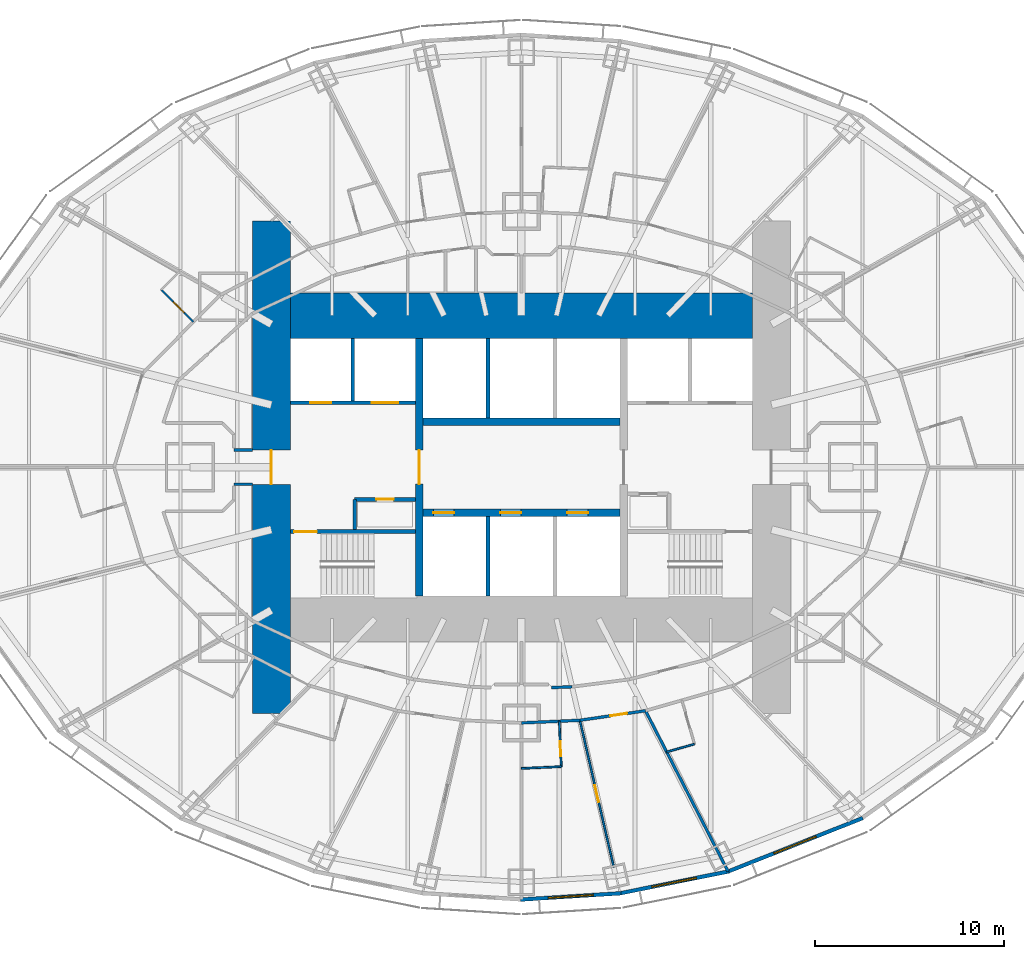
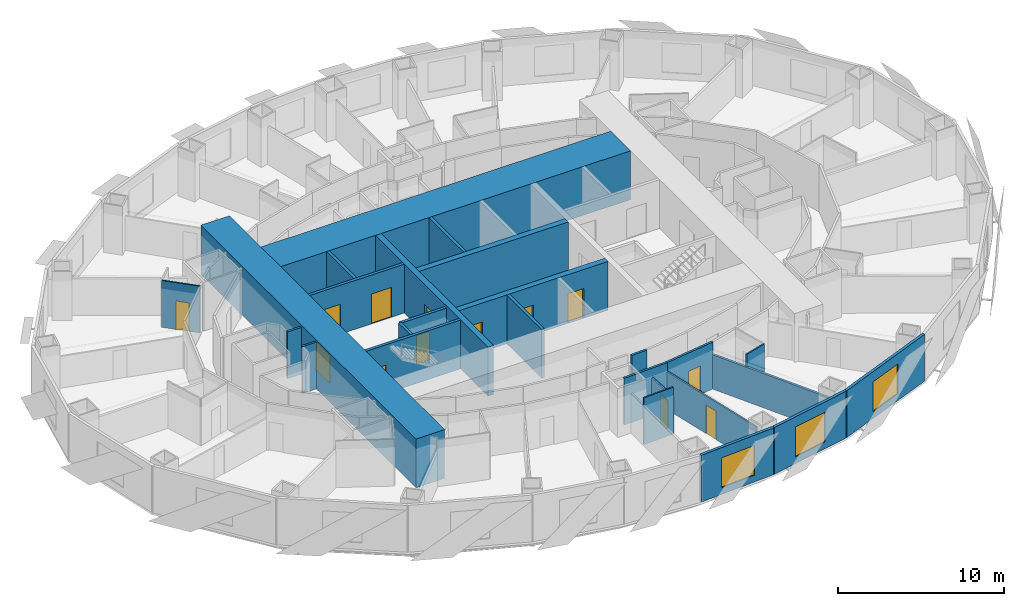
# One storey, part 6 of 15: 26 walls, 13 doors, 3 windows, 16 openings.
"""IFC4 building model written with IfcOpenShell, lengths in metres."""

from ifc_helpers import new_model, si_unit, direction, frame, frame_2d, origin, place, context, subcontext, project, spatial, rectangle, extrude, material, layer, layer_set, type_object, element, fill, save


model = new_model("IFC4")

# Units and contexts
model_context = context("Model", 3, precision=1e-05, world=origin(), true_north=direction((0.0, 1.0)))
body_context = subcontext(model_context, "Body", "Model", "MODEL_VIEW")
ifc_project = project(units=[si_unit("LENGTHUNIT", "METRE"), si_unit("AREAUNIT", "SQUARE_METRE"), si_unit("VOLUMEUNIT", "CUBIC_METRE"), si_unit("PLANEANGLEUNIT", "RADIAN"), si_unit("MASSUNIT", "GRAM", prefix="KILO")], contexts=[model_context])

# Site, building, storey
site_placement = place(None, origin())
site = spatial("IfcSite", under=ifc_project, at=site_placement, CompositionType="ELEMENT")
building_placement = place(site_placement, origin())
building = spatial("IfcBuilding", under=site, at=building_placement, Name="Lantaw Convention Tower", CompositionType="ELEMENT")
storey_placement = place(building_placement, frame((0.0, 0.0, 55.0)))
storey = spatial("IfcBuildingStorey", under=building, at=storey_placement, Name="L11", CompositionType="ELEMENT", Elevation=55.0)

# Wall, opening, door
ifc_material_1 = material(Name="Moisture resistant gypsum board on steel studs", Category="steel")
ifc_layer_1 = layer(ifc_material_1, 0.10009765625)
ifc_layer_set_1 = layer_set([ifc_layer_1], Name="Bathroom wall 100")
wall_type_1 = type_object("IfcWallType", Name="Bathroom wall 100", PredefinedType="PARTITIONING", material=ifc_layer_set_1)
wall_1_placement = place(storey_placement, frame((-17.311279296875, 7.668212890625, 0.0), z_axis=(0.0, 0.0, 1.0), x_axis=(-0.709138392716, 0.705069315724, 0.0)))
wall_1 = element("IfcWall", 1, at=wall_1_placement, inside=storey, type_object=wall_type_1, Name="Bathroom wall 100", PredefinedType="PARTITIONING", context=body_context, shape_type="SweptSolid", body=[
    extrude(rectangle(XDim=2.39990234375, YDim=0.10009765625, at=frame_2d((1.199951171875, 0.0))), origin(), (0.0, 0.0, 1.0), 3.449951171875),
])
opening_1_placement = place(wall_1_placement, frame((0.699951171875, 0.0, 0.0)))
opening_1 = element("IfcOpeningElement", 2, at=opening_1_placement, cuts=wall_1, Name="Opening L11.43", PredefinedType="OPENING", context=body_context, shape_type="SweptSolid", body=[
    extrude(rectangle(XDim=0.800048828125, YDim=2.10009765625, at=frame_2d((0.39990234375, 1.050048828125))), frame((0.0, 0.06005859375, 0.0), z_axis=(0.0, -1.0, 0.0), x_axis=(1.0, 0.0, 0.0)), (0.0, 0.0, 1.0), 0.1201171875),
])
ifc_material_2 = material(Name="Timber", Category="wood")
door_type_1 = type_object("IfcDoorType", Name="Bathroom door 800", OperationType="SINGLE_SWING_LEFT", PredefinedType="DOOR", material=ifc_material_2)
door_1_placement = place(opening_1_placement, origin())
door_1 = element("IfcDoor", 3, at=door_1_placement, inside=storey, type_object=door_type_1, Name="Bathroom door", OperationType="SINGLE_SWING_LEFT", OverallHeight=2.10009765625, OverallWidth=0.800048828125, PredefinedType="DOOR", context=body_context, shape_type="SweptSolid", body=[
    extrude(rectangle(XDim=0.800048828125, YDim=2.10009765625, at=frame_2d((0.39990234375, 1.050048828125))), frame((0.0, 0.02490234375, 0.0), z_axis=(0.0, -1.0, 0.0), x_axis=(1.0, 0.0, 0.0)), (0.0, 0.0, 1.0), 0.050048828125),
])
fill(opening_1, door_1)

wall_2_placement = place(storey_placement, frame((1.998046875, -13.409423828125, 0.0), z_axis=(0.0, 0.0, 1.0), x_axis=(0.045163115153, -0.998979625933, 0.0)))
wall_2 = element("IfcWall", 4, at=wall_2_placement, inside=storey, type_object=wall_type_1, Name="Bathroom wall 100", PredefinedType="PARTITIONING", context=body_context, shape_type="SweptSolid", body=[
    extrude(rectangle(XDim=2.400146484375, YDim=0.10009765625, at=frame_2d((1.2001953125, 0.0))), origin(), (0.0, 0.0, 1.0), 2.7490234375),
])
opening_2_placement = place(wall_2_placement, frame((1.050048828125, 0.0, 0.0)))
opening_2 = element("IfcOpeningElement", 5, at=opening_2_placement, cuts=wall_2, Name="Opening L11.55", PredefinedType="OPENING", context=body_context, shape_type="SweptSolid", body=[
    extrude(rectangle(XDim=0.800048828125, YDim=2.10009765625, at=frame_2d((0.39990234375, 1.050048828125))), frame((0.0, 0.06005859375, 0.0), z_axis=(0.0, -1.0, 0.0), x_axis=(1.0, 0.0, 0.0)), (0.0, 0.0, 1.0), 0.1201171875),
])
door_2_placement = place(opening_2_placement, origin())
door_2 = element("IfcDoor", 6, at=door_2_placement, inside=storey, type_object=door_type_1, Name="Bathroom door", OperationType="SINGLE_SWING_LEFT", OverallHeight=2.10009765625, OverallWidth=0.800048828125, PredefinedType="DOOR", context=body_context, shape_type="SweptSolid", body=[
    extrude(rectangle(XDim=0.800048828125, YDim=2.10009765625, at=frame_2d((0.39990234375, 1.050048828125))), frame((0.0, 0.02490234375, 0.0), z_axis=(0.0, -1.0, 0.0), x_axis=(1.0, 0.0, 0.0)), (0.0, 0.0, 1.0), 0.050048828125),
])
fill(opening_2, door_2)

# Walls
wall_3_placement = place(storey_placement, frame((2.1064453125, -15.80712890625, 0.0), z_axis=(0.0, 0.0, 1.0), x_axis=(-0.998979967386, -0.045155561808, 0.0)))
element("IfcWall", 7, at=wall_3_placement, inside=storey, type_object=wall_type_1, Name="Bathroom wall 100", PredefinedType="PARTITIONING", context=body_context, shape_type="SweptSolid", body=[
    extrude(rectangle(XDim=2.108642578125, YDim=0.10009765625, at=frame_2d((1.05419921875, 0.0))), origin(), (0.0, 0.0, 1.0), 3.449951171875),
])
wall_4_placement = place(storey_placement, frame((9.13427734375, -14.615478515625, 0.0), z_axis=(0.0, 0.0, 1.0), x_axis=(-0.96145775668, -0.274952690695, 0.0)))
element("IfcWall", 8, at=wall_4_placement, inside=storey, type_object=wall_type_1, Name="Bathroom wall 100", PredefinedType="PARTITIONING", context=body_context, shape_type="SweptSolid", body=[
    extrude(rectangle(XDim=1.53173828125, YDim=0.10009765625, at=frame_2d((0.765869140625, 0.0))), origin(), (0.0, 0.0, 1.0), 3.449951171875),
])

# Wall, opening, door
ifc_material_3 = material(Name="Concrete C60/75", Category="concrete")
ifc_layer_2 = layer(ifc_material_3, 0.199951171875)
ifc_layer_set_2 = layer_set([ifc_layer_2], Name="Core wall 200")
wall_type_2 = type_object("IfcWallType", Name="Core wall 200", PredefinedType="SHEAR", material=ifc_layer_set_2)
wall_5_placement = place(storey_placement, frame((-5.60009765625, -3.39990234375, 0.0), z_axis=(0.0, 0.0, 1.0), x_axis=(-1.0, 0.0, 0.0)))
wall_5 = element("IfcWall", 9, at=wall_5_placement, inside=storey, type_object=wall_type_2, Name="Core wall WS", PredefinedType="SHEAR", context=body_context, shape_type="SweptSolid", body=[
    extrude(rectangle(XDim=6.599853515625, YDim=0.199951171875, at=frame_2d((3.2998046875, 0.0))), origin(), (0.0, 0.0, 1.0), 3.60009765625),
])
opening_3_placement = place(wall_5_placement, frame((5.199951171875, 0.0, 0.0)))
opening_3 = element("IfcOpeningElement", 10, at=opening_3_placement, cuts=wall_5, Name="Opening L11.06", PredefinedType="OPENING", context=body_context, shape_type="SweptSolid", body=[
    extrude(rectangle(XDim=1.199951171875, YDim=2.10009765625, at=frame_2d((0.60009765625, 1.050048828125))), frame((0.0, 0.10986328125, 0.0), z_axis=(0.0, -1.0, 0.0), x_axis=(1.0, 0.0, 0.0)), (0.0, 0.0, 1.0), 0.219970703125),
])
ifc_material_4 = material(Name="Steel, fire rated", Category="steel")
door_type_2 = type_object("IfcDoorType", Name="Stair door FD90", OperationType="SINGLE_SWING_RIGHT", PredefinedType="DOOR", material=ifc_material_4)
door_3_placement = place(opening_3_placement, origin())
door_3 = element("IfcDoor", 11, at=door_3_placement, inside=storey, type_object=door_type_2, Name="Exit stair door", OperationType="SINGLE_SWING_RIGHT", OverallHeight=2.10009765625, OverallWidth=1.199951171875, PredefinedType="DOOR", context=body_context, shape_type="SweptSolid", body=[
    extrude(rectangle(XDim=1.199951171875, YDim=2.10009765625, at=frame_2d((0.60009765625, 1.050048828125))), frame((0.0, 0.02490234375, 0.0), z_axis=(0.0, -1.0, 0.0), x_axis=(1.0, 0.0, 0.0)), (0.0, 0.0, 1.0), 0.050048828125),
])
fill(opening_3, door_3)

ifc_layer_3 = layer(ifc_material_3, 2.0)
ifc_layer_set_3 = layer_set([ifc_layer_3], Name="Core wall 2000")
wall_type_3 = type_object("IfcWallType", Name="Core wall 2000", PredefinedType="SHEAR", material=ifc_layer_set_3)
wall_6_placement = place(storey_placement, frame((-13.199951171875, 13.0, 0.0), z_axis=(0.0, 0.0, 1.0), x_axis=(0.0, -1.0, 0.0)))
wall_6 = element("IfcWall", 12, at=wall_6_placement, inside=storey, type_object=wall_type_3, Name="Core wall W", PredefinedType="SHEAR", context=body_context, shape_type="SweptSolid", body=[
    extrude(rectangle(XDim=26.0, YDim=2.0, at=frame_2d((13.0, 0.0))), origin(), (0.0, 0.0, 1.0), 3.60009765625),
])
opening_4_placement = place(wall_6_placement, frame((12.10009765625, 0.0, 0.0)))
opening_4 = element("IfcOpeningElement", 13, at=opening_4_placement, cuts=wall_6, Name="Opening L11.08", PredefinedType="OPENING", context=body_context, shape_type="SweptSolid", body=[
    extrude(rectangle(XDim=1.800048828125, YDim=2.10009765625, at=frame_2d((0.89990234375, 1.050048828125))), frame((0.0, 1.010009765625, 0.0), z_axis=(0.0, -1.0, 0.0), x_axis=(1.0, 0.0, 0.0)), (0.0, 0.0, 1.0), 2.02001953125),
])
door_type_3 = type_object("IfcDoorType", Name="Lobby double door FD90", OperationType="DOUBLE_DOOR_DOUBLE_SWING", PredefinedType="DOOR", material=ifc_material_4)
door_4_placement = place(opening_4_placement, origin())
door_4 = element("IfcDoor", 14, at=door_4_placement, inside=storey, type_object=door_type_3, Name="Firefighting lobby door", OperationType="DOUBLE_DOOR_DOUBLE_SWING", OverallHeight=2.10009765625, OverallWidth=1.800048828125, PredefinedType="DOOR", context=body_context, shape_type="SweptSolid", body=[
    extrude(rectangle(XDim=1.800048828125, YDim=2.10009765625, at=frame_2d((0.89990234375, 1.050048828125))), frame((0.0, 0.02490234375, 0.0), z_axis=(0.0, -1.0, 0.0), x_axis=(1.0, 0.0, 0.0)), (0.0, 0.0, 1.0), 0.050048828125),
])
fill(opening_4, door_4)

# Wall
ifc_layer_4 = layer(ifc_material_3, 2.39990234375)
ifc_layer_set_4 = layer_set([ifc_layer_4], Name="Core wall 2400")
wall_type_4 = type_object("IfcWallType", Name="Core wall 2400", PredefinedType="SHEAR", material=ifc_layer_set_4)
wall_7_placement = place(storey_placement, frame((12.199951171875, 8.0, 0.0), z_axis=(0.0, 0.0, 1.0), x_axis=(-1.0, 0.0, 0.0)))
element("IfcWall", 15, at=wall_7_placement, inside=storey, type_object=wall_type_4, Name="Core wall N", PredefinedType="SHEAR", context=body_context, shape_type="SweptSolid", body=[
    extrude(rectangle(XDim=24.39990234375, YDim=2.39990234375, at=frame_2d((12.199951171875, 0.0))), origin(), (0.0, 0.0, 1.0), 3.60009765625),
])

# Wall, opening, door
ifc_layer_5 = layer(ifc_material_3, 0.39990234375)
ifc_layer_set_5 = layer_set([ifc_layer_5], Name="Core wall 400")
wall_type_5 = type_object("IfcWallType", Name="Core wall 400", PredefinedType="SHEAR", material=ifc_layer_set_5)
wall_8_placement = place(storey_placement, frame((-5.39990234375, 6.800048828125, 0.0), z_axis=(0.0, 0.0, 1.0), x_axis=(0.0, -1.0, 0.0)))
wall_8 = element("IfcWall", 16, at=wall_8_placement, inside=storey, type_object=wall_type_5, Name="Core wall XW", PredefinedType="SHEAR", context=body_context, shape_type="SweptSolid", body=[
    extrude(rectangle(XDim=13.60009765625, YDim=0.39990234375, at=frame_2d((6.800048828125, 0.0))), origin(), (0.0, 0.0, 1.0), 3.60009765625),
])
opening_5_placement = place(wall_8_placement, frame((5.89990234375, 0.0, 0.0)))
opening_5 = element("IfcOpeningElement", 17, at=opening_5_placement, cuts=wall_8, Name="Opening L11.04", PredefinedType="OPENING", context=body_context, shape_type="SweptSolid", body=[
    extrude(rectangle(XDim=1.800048828125, YDim=2.10009765625, at=frame_2d((0.89990234375, 1.050048828125))), frame((0.0, 0.2099609375, 0.0), z_axis=(0.0, -1.0, 0.0), x_axis=(1.0, 0.0, 0.0)), (0.0, 0.0, 1.0), 0.419921875),
])
door_5_placement = place(opening_5_placement, origin())
door_5 = element("IfcDoor", 18, at=door_5_placement, inside=storey, type_object=door_type_3, Name="Lift lobby door", OperationType="DOUBLE_DOOR_DOUBLE_SWING", OverallHeight=2.10009765625, OverallWidth=1.800048828125, PredefinedType="DOOR", context=body_context, shape_type="SweptSolid", body=[
    extrude(rectangle(XDim=1.800048828125, YDim=2.10009765625, at=frame_2d((0.89990234375, 1.050048828125))), frame((0.0, 0.02490234375, 0.0), z_axis=(0.0, -1.0, 0.0), x_axis=(1.0, 0.0, 0.0)), (0.0, 0.0, 1.0), 0.050048828125),
])
fill(opening_5, door_5)

# Wall, openings, doors
wall_9_placement = place(storey_placement, frame((-5.199951171875, -2.39990234375, 0.0), z_axis=(0.0, 0.0, 1.0), x_axis=(1.0, 0.0, 0.0)))
wall_9 = element("IfcWall", 19, at=wall_9_placement, inside=storey, type_object=wall_type_5, Name="Core wall BS", PredefinedType="SHEAR", context=body_context, shape_type="SweptSolid", body=[
    extrude(rectangle(XDim=10.39990234375, YDim=0.39990234375, at=frame_2d((5.199951171875, 0.0))), origin(), (0.0, 0.0, 1.0), 3.60009765625),
])
opening_6_placement = place(wall_9_placement, frame((0.550048828125, 0.0, 0.0)))
opening_6 = element("IfcOpeningElement", 20, at=opening_6_placement, cuts=wall_9, Name="Opening L11.09", PredefinedType="OPENING", context=body_context, shape_type="SweptSolid", body=[
    extrude(rectangle(XDim=1.10009765625, YDim=2.199951171875, at=frame_2d((0.550048828125, 1.10009765625))), frame((0.0, 0.2099609375, 0.0), z_axis=(0.0, -1.0, 0.0), x_axis=(1.0, 0.0, 0.0)), (0.0, 0.0, 1.0), 0.419921875),
])
opening_7_placement = place(wall_9_placement, frame((4.083251953125, 0.0, 0.0)))
opening_7 = element("IfcOpeningElement", 21, at=opening_7_placement, cuts=wall_9, Name="Opening L11.10", PredefinedType="OPENING", context=body_context, shape_type="SweptSolid", body=[
    extrude(rectangle(XDim=1.10009765625, YDim=2.199951171875, at=frame_2d((0.550048828125, 1.10009765625))), frame((0.0, 0.2099609375, 0.0), z_axis=(0.0, -1.0, 0.0), x_axis=(1.0, 0.0, 0.0)), (0.0, 0.0, 1.0), 0.419921875),
])
opening_8_placement = place(wall_9_placement, frame((7.61669921875, 0.0, 0.0)))
opening_8 = element("IfcOpeningElement", 22, at=opening_8_placement, cuts=wall_9, Name="Opening L11.11", PredefinedType="OPENING", context=body_context, shape_type="SweptSolid", body=[
    extrude(rectangle(XDim=1.10009765625, YDim=2.199951171875, at=frame_2d((0.550048828125, 1.10009765625))), frame((0.0, 0.2099609375, 0.0), z_axis=(0.0, -1.0, 0.0), x_axis=(1.0, 0.0, 0.0)), (0.0, 0.0, 1.0), 0.419921875),
])
ifc_material_5 = material(Name="Stainless steel", Category="steel")
door_type_4 = type_object("IfcDoorType", Name="Lift landing door 1100", OperationType="DOUBLE_DOOR_SLIDING", PredefinedType="DOOR", material=ifc_material_5)
door_6_placement = place(opening_6_placement, origin())
door_6 = element("IfcDoor", 23, at=door_6_placement, inside=storey, type_object=door_type_4, Name="Lift landing door H1", OperationType="DOUBLE_DOOR_SLIDING", OverallHeight=2.199951171875, OverallWidth=1.10009765625, PredefinedType="DOOR", context=body_context, shape_type="SweptSolid", body=[
    extrude(rectangle(XDim=1.10009765625, YDim=2.199951171875, at=frame_2d((0.550048828125, 1.10009765625))), frame((0.0, 0.02490234375, 0.0), z_axis=(0.0, -1.0, 0.0), x_axis=(1.0, 0.0, 0.0)), (0.0, 0.0, 1.0), 0.050048828125),
])
fill(opening_6, door_6)
door_7_placement = place(opening_7_placement, origin())
door_7 = element("IfcDoor", 24, at=door_7_placement, inside=storey, type_object=door_type_4, Name="Lift landing door H2", OperationType="DOUBLE_DOOR_SLIDING", OverallHeight=2.199951171875, OverallWidth=1.10009765625, PredefinedType="DOOR", context=body_context, shape_type="SweptSolid", body=[
    extrude(rectangle(XDim=1.10009765625, YDim=2.199951171875, at=frame_2d((0.550048828125, 1.10009765625))), frame((0.0, 0.02490234375, 0.0), z_axis=(0.0, -1.0, 0.0), x_axis=(1.0, 0.0, 0.0)), (0.0, 0.0, 1.0), 0.050048828125),
])
fill(opening_7, door_7)
door_8_placement = place(opening_8_placement, origin())
door_8 = element("IfcDoor", 25, at=door_8_placement, inside=storey, type_object=door_type_4, Name="Lift landing door H3", OperationType="DOUBLE_DOOR_SLIDING", OverallHeight=2.199951171875, OverallWidth=1.10009765625, PredefinedType="DOOR", context=body_context, shape_type="SweptSolid", body=[
    extrude(rectangle(XDim=1.10009765625, YDim=2.199951171875, at=frame_2d((0.550048828125, 1.10009765625))), frame((0.0, 0.02490234375, 0.0), z_axis=(0.0, -1.0, 0.0), x_axis=(1.0, 0.0, 0.0)), (0.0, 0.0, 1.0), 0.050048828125),
])
fill(opening_8, door_8)

# Walls
wall_10_placement = place(storey_placement, frame((5.199951171875, 2.39990234375, 0.0), z_axis=(0.0, 0.0, 1.0), x_axis=(-1.0, 0.0, 0.0)))
element("IfcWall", 26, at=wall_10_placement, inside=storey, type_object=wall_type_5, Name="Core wall BN", PredefinedType="SHEAR", context=body_context, shape_type="SweptSolid", body=[
    extrude(rectangle(XDim=10.39990234375, YDim=0.39990234375, at=frame_2d((5.199951171875, 0.0))), origin(), (0.0, 0.0, 1.0), 3.60009765625),
])
ifc_material_6 = material(Name="Gypsum board on steel studs, fire rated", Category="steel")
ifc_layer_6 = layer(ifc_material_6, 0.14990234375)
ifc_layer_set_6 = layer_set([ifc_layer_6], Name="Corridor wall 150 EI 60")
wall_type_6 = type_object("IfcWallType", Name="Corridor wall 150 EI 60", PredefinedType="PARTITIONING", material=ifc_layer_set_6)
wall_11_placement = place(storey_placement, frame((0.0, -13.5, 0.0), z_axis=(0.0, 0.0, 1.0), x_axis=(0.998976675711, 0.045228325036, 0.0)))
element("IfcWall", 27, at=wall_11_placement, inside=storey, type_object=wall_type_6, Name="Corridor wall 150", PredefinedType="PARTITIONING", context=body_context, shape_type="SweptSolid", body=[
    extrude(rectangle(XDim=3.087646484375, YDim=0.14990234375, at=frame_2d((1.5439453125, 0.0))), origin(), (0.0, 0.0, 1.0), 3.449951171875),
])

# Wall, opening, door
wall_12_placement = place(storey_placement, frame((3.08447265625, -13.3603515625, 0.0), z_axis=(0.0, 0.0, 1.0), x_axis=(0.989661745886, 0.143421158583, 0.0)))
wall_12 = element("IfcWall", 28, at=wall_12_placement, inside=storey, type_object=wall_type_6, Name="Corridor wall 150", PredefinedType="PARTITIONING", context=body_context, shape_type="SweptSolid", body=[
    extrude(rectangle(XDim=3.503173828125, YDim=0.14990234375, at=frame_2d((1.75146484375, 0.0))), origin(), (0.0, 0.0, 1.0), 3.449951171875),
])
opening_9_placement = place(wall_12_placement, frame((1.61572265625, 0.0, 0.0)))
opening_9 = element("IfcOpeningElement", 29, at=opening_9_placement, cuts=wall_12, Name="Opening L11.57", PredefinedType="OPENING", context=body_context, shape_type="SweptSolid", body=[
    extrude(rectangle(XDim=0.89990234375, YDim=2.10009765625, at=frame_2d((0.449951171875, 1.050048828125))), frame((0.0, 0.0849609375, 0.0), z_axis=(0.0, -1.0, 0.0), x_axis=(1.0, 0.0, 0.0)), (0.0, 0.0, 1.0), 0.169921875),
])
door_type_5 = type_object("IfcDoorType", Name="Guest room entrance door FD30S", OperationType="SINGLE_SWING_LEFT", PredefinedType="DOOR", material=ifc_material_4)
door_9_placement = place(opening_9_placement, origin())
door_9 = element("IfcDoor", 30, at=door_9_placement, inside=storey, type_object=door_type_5, Name="Suite entrance door", OperationType="SINGLE_SWING_LEFT", OverallHeight=2.10009765625, OverallWidth=0.89990234375, PredefinedType="DOOR", context=body_context, shape_type="SweptSolid", body=[
    extrude(rectangle(XDim=0.89990234375, YDim=2.10009765625, at=frame_2d((0.449951171875, 1.050048828125))), frame((0.0, 0.02490234375, 0.0), z_axis=(0.0, -1.0, 0.0), x_axis=(1.0, 0.0, 0.0)), (0.0, 0.0, 1.0), 0.050048828125),
])
fill(opening_9, door_9)

# Walls
for number, where, z_axis, x_axis, name in (
    (31, (-14.199951171875, -0.89990234375, 0.0), (0.0, 0.0, 1.0), (-1.0, 0.0, 0.0), "Corridor wall 150"),
    (32, (-14.199951171875, 0.89990234375, 0.0), (0.0, 0.0, 1.0), (-1.0, 0.0, 0.0), "Corridor wall 150"),
):
    element("IfcWall", number, at=place(storey_placement, frame(where, z_axis=z_axis, x_axis=x_axis)), inside=storey, type_object=wall_type_6, Name=name, PredefinedType="PARTITIONING", context=body_context, shape_type="SweptSolid", body=[
        extrude(rectangle(XDim=0.965087890625, YDim=0.14990234375, at=frame_2d((0.482421875, 0.0))), origin(), (0.0, 0.0, 1.0), 3.449951171875),
    ])
wall_13_placement = place(storey_placement, frame((1.598876953125, -11.63525390625, 0.0), z_axis=(0.0, 0.0, 1.0), x_axis=(0.999178004727, 0.040537820228, 0.0)))
element("IfcWall", 33, at=wall_13_placement, inside=storey, type_object=wall_type_6, Name="Corridor wall 150", PredefinedType="PARTITIONING", context=body_context, shape_type="SweptSolid", body=[
    extrude(rectangle(XDim=1.078125, YDim=0.14990234375, at=frame_2d((0.5390625, 0.0))), origin(), (0.0, 0.0, 1.0), 3.449951171875),
])

# Wall, opening, window
ifc_material_7 = material(Name="Insulated aluminium panel on steel frame", Category="steel")
ifc_layer_7 = layer(ifc_material_7, 0.199951171875)
ifc_layer_set_7 = layer_set([ifc_layer_7], Name="External wall 200")
wall_type_7 = type_object("IfcWallType", Name="External wall 200", PredefinedType="SOLIDWALL", material=ifc_layer_set_7)
wall_14_placement = place(storey_placement, frame((-0.041015625, -22.8271484375, 0.0), z_axis=(0.0, 0.0, 1.0), x_axis=(0.998018582375, 0.062919863585, 0.0)))
wall_14 = element("IfcWall", 34, at=wall_14_placement, inside=storey, type_object=wall_type_7, Name="Facade panel wall", PredefinedType="SOLIDWALL", context=body_context, shape_type="SweptSolid", body=[
    extrude(rectangle(XDim=5.30419921875, YDim=0.199951171875, at=frame_2d((2.652099609375, 0.0))), origin(), (0.0, 0.0, 1.0), 3.449951171875),
])
opening_10_placement = place(wall_14_placement, frame((1.4521484375, 0.0, 0.5)))
opening_10 = element("IfcOpeningElement", 35, at=opening_10_placement, cuts=wall_14, Name="Opening W1", PredefinedType="OPENING", context=body_context, shape_type="SweptSolid", body=[
    extrude(rectangle(XDim=2.39990234375, YDim=2.199951171875, at=frame_2d((1.199951171875, 1.10009765625))), frame((0.0, 0.10986328125, 0.0), z_axis=(0.0, -1.0, 0.0), x_axis=(1.0, 0.0, 0.0)), (0.0, 0.0, 1.0), 0.219970703125),
])
ifc_material_8 = material(Name="Aluminium frame, clear insulating glass", Category="aluminium")
window_type = type_object("IfcWindowType", Name="Guest room window 2400x2200", PartitioningType="SINGLE_PANEL", PredefinedType="WINDOW", material=ifc_material_8)
window_1_placement = place(opening_10_placement, origin())
window_1 = element("IfcWindow", 36, at=window_1_placement, inside=storey, type_object=window_type, Name="Guest room window", OverallHeight=2.199951171875, OverallWidth=2.39990234375, PartitioningType="SINGLE_PANEL", PredefinedType="WINDOW", context=body_context, shape_type="SweptSolid", body=[
    extrude(rectangle(XDim=2.39990234375, YDim=2.199951171875, at=frame_2d((1.199951171875, 1.10009765625))), frame((0.0, 0.030029296875, 0.0), z_axis=(0.0, -1.0, 0.0), x_axis=(1.0, 0.0, 0.0)), (0.0, 0.0, 1.0), 0.06005859375),
])
fill(opening_10, window_1)

wall_15_placement = place(storey_placement, frame((5.169677734375, -22.504150390625, 0.0), z_axis=(0.0, 0.0, 1.0), x_axis=(0.980251657452, 0.197754110105, 0.0)))
wall_15 = element("IfcWall", 37, at=wall_15_placement, inside=storey, type_object=wall_type_7, Name="Facade panel wall", PredefinedType="SOLIDWALL", context=body_context, shape_type="SweptSolid", body=[
    extrude(rectangle(XDim=5.90380859375, YDim=0.199951171875, at=frame_2d((2.951904296875, 0.0))), origin(), (0.0, 0.0, 1.0), 3.449951171875),
])
opening_11_placement = place(wall_15_placement, frame((1.751708984375, 0.0, 0.5)))
opening_11 = element("IfcOpeningElement", 38, at=opening_11_placement, cuts=wall_15, Name="Opening W1", PredefinedType="OPENING", context=body_context, shape_type="SweptSolid", body=[
    extrude(rectangle(XDim=2.39990234375, YDim=2.199951171875, at=frame_2d((1.199951171875, 1.10009765625))), frame((0.0, 0.10986328125, 0.0), z_axis=(0.0, -1.0, 0.0), x_axis=(1.0, 0.0, 0.0)), (0.0, 0.0, 1.0), 0.219970703125),
])
window_2_placement = place(opening_11_placement, origin())
window_2 = element("IfcWindow", 39, at=window_2_placement, inside=storey, type_object=window_type, Name="Guest room window", OverallHeight=2.199951171875, OverallWidth=2.39990234375, PartitioningType="SINGLE_PANEL", PredefinedType="WINDOW", context=body_context, shape_type="SweptSolid", body=[
    extrude(rectangle(XDim=2.39990234375, YDim=2.199951171875, at=frame_2d((1.199951171875, 1.10009765625))), frame((0.0, 0.030029296875, 0.0), z_axis=(0.0, -1.0, 0.0), x_axis=(1.0, 0.0, 0.0)), (0.0, 0.0, 1.0), 0.06005859375),
])
fill(opening_11, window_2)

wall_16_placement = place(storey_placement, frame((10.869384765625, -21.362548828125, 0.0), z_axis=(0.0, 0.0, 1.0), x_axis=(0.929358351251, 0.369178892895, 0.0)))
wall_16 = element("IfcWall", 40, at=wall_16_placement, inside=storey, type_object=wall_type_7, Name="Facade panel wall", PredefinedType="SOLIDWALL", context=body_context, shape_type="SweptSolid", body=[
    extrude(rectangle(XDim=7.6923828125, YDim=0.199951171875, at=frame_2d((3.84619140625, 0.0))), origin(), (0.0, 0.0, 1.0), 3.449951171875),
])
opening_12_placement = place(wall_16_placement, frame((2.64599609375, 0.0, 0.5)))
opening_12 = element("IfcOpeningElement", 41, at=opening_12_placement, cuts=wall_16, Name="Opening W1", PredefinedType="OPENING", context=body_context, shape_type="SweptSolid", body=[
    extrude(rectangle(XDim=2.39990234375, YDim=2.199951171875, at=frame_2d((1.199951171875, 1.10009765625))), frame((0.0, 0.10986328125, 0.0), z_axis=(0.0, -1.0, 0.0), x_axis=(1.0, 0.0, 0.0)), (0.0, 0.0, 1.0), 0.219970703125),
])
window_3_placement = place(opening_12_placement, origin())
window_3 = element("IfcWindow", 42, at=window_3_placement, inside=storey, type_object=window_type, Name="Guest room window", OverallHeight=2.199951171875, OverallWidth=2.39990234375, PartitioningType="SINGLE_PANEL", PredefinedType="WINDOW", context=body_context, shape_type="SweptSolid", body=[
    extrude(rectangle(XDim=2.39990234375, YDim=2.199951171875, at=frame_2d((1.199951171875, 1.10009765625))), frame((0.0, 0.030029296875, 0.0), z_axis=(0.0, -1.0, 0.0), x_axis=(1.0, 0.0, 0.0)), (0.0, 0.0, 1.0), 0.06005859375),
])
fill(opening_12, window_3)

# Wall
ifc_material_9 = material(Name="Gypsum board on steel studs, acoustic", Category="steel")
ifc_layer_8 = layer(ifc_material_9, 0.14990234375)
ifc_layer_set_8 = layer_set([ifc_layer_8], Name="Guest room party wall 150")
wall_type_8 = type_object("IfcWallType", Name="Guest room party wall 150", PredefinedType="PARTITIONING", material=ifc_layer_set_8)
wall_17_placement = place(storey_placement, frame((10.911865234375, -21.345703125, 0.0), z_axis=(0.0, 0.0, 1.0), x_axis=(-0.456950233066, 0.889492262193, 0.0)))
element("IfcWall", 43, at=wall_17_placement, inside=storey, type_object=wall_type_8, Name="Guest room party wall 150", PredefinedType="PARTITIONING", context=body_context, shape_type="SweptSolid", body=[
    extrude(rectangle(XDim=9.542236328125, YDim=0.14990234375, at=frame_2d((4.77099609375, 0.0))), origin(), (0.0, 0.0, 1.0), 2.528076171875),
])

# Wall, opening, door
ifc_material_10 = material(Name="Concrete blockwork, fire rated", Category="masonry")
ifc_layer_9 = layer(ifc_material_10, 0.199951171875)
ifc_layer_set_9 = layer_set([ifc_layer_9], Name="Plant room wall 200 EI 120")
wall_type_9 = type_object("IfcWallType", Name="Plant room wall 200 EI 120", PredefinedType="SOLIDWALL", material=ifc_layer_set_9)
wall_18_placement = place(storey_placement, frame((-5.60009765625, -1.699951171875, 0.0), z_axis=(0.0, 0.0, 1.0), x_axis=(-1.0, 0.0, 0.0)))
wall_18 = element("IfcWall", 44, at=wall_18_placement, inside=storey, type_object=wall_type_9, Name="Plant room wall 200", PredefinedType="SOLIDWALL", context=body_context, shape_type="SweptSolid", body=[
    extrude(rectangle(XDim=3.199951171875, YDim=0.199951171875, at=frame_2d((1.60009765625, 0.0))), origin(), (0.0, 0.0, 1.0), 3.449951171875),
])
opening_13_placement = place(wall_18_placement, frame((1.14990234375, 0.0, 0.0)))
opening_13 = element("IfcOpeningElement", 45, at=opening_13_placement, cuts=wall_18, Name="Opening L11.01", PredefinedType="OPENING", context=body_context, shape_type="SweptSolid", body=[
    extrude(rectangle(XDim=0.89990234375, YDim=2.10009765625, at=frame_2d((0.449951171875, 1.050048828125))), frame((0.0, 0.10986328125, 0.0), z_axis=(0.0, -1.0, 0.0), x_axis=(1.0, 0.0, 0.0)), (0.0, 0.0, 1.0), 0.219970703125),
])
door_type_6 = type_object("IfcDoorType", Name="Service door 900 FD60", OperationType="SINGLE_SWING_LEFT", PredefinedType="DOOR", material=ifc_material_4)
door_10_placement = place(opening_13_placement, origin())
door_10 = element("IfcDoor", 46, at=door_10_placement, inside=storey, type_object=door_type_6, Name="IT and comms room door", OperationType="SINGLE_SWING_LEFT", OverallHeight=2.10009765625, OverallWidth=0.89990234375, PredefinedType="DOOR", context=body_context, shape_type="SweptSolid", body=[
    extrude(rectangle(XDim=0.89990234375, YDim=2.10009765625, at=frame_2d((0.449951171875, 1.050048828125))), frame((0.0, 0.02490234375, 0.0), z_axis=(0.0, -1.0, 0.0), x_axis=(1.0, 0.0, 0.0)), (0.0, 0.0, 1.0), 0.050048828125),
])
fill(opening_13, door_10)

# Walls
wall_19_placement = place(storey_placement, frame((-8.800048828125, -1.699951171875, 0.0), z_axis=(0.0, 0.0, 1.0), x_axis=(0.0, -1.0, 0.0)))
element("IfcWall", 47, at=wall_19_placement, inside=storey, type_object=wall_type_9, Name="Plant room wall 200", PredefinedType="SOLIDWALL", context=body_context, shape_type="SweptSolid", body=[
    extrude(rectangle(XDim=1.60009765625, YDim=0.199951171875, at=frame_2d((0.800048828125, 0.0))), origin(), (0.0, 0.0, 1.0), 3.449951171875),
])
ifc_layer_10 = layer(ifc_material_10, 0.199951171875)
ifc_layer_set_10 = layer_set([ifc_layer_10], Name="Shaft wall 200")
wall_type_10 = type_object("IfcWallType", Name="Shaft wall 200", PredefinedType="SOLIDWALL", material=ifc_layer_set_10)
wall_20_placement = place(storey_placement, frame((-1.7666015625, 2.60009765625, 0.0), z_axis=(0.0, 0.0, 1.0), x_axis=(0.0, 1.0, 0.0)))
element("IfcWall", 48, at=wall_20_placement, inside=storey, type_object=wall_type_10, Name="Shaft wall DN1", PredefinedType="SOLIDWALL", context=body_context, shape_type="SweptSolid", body=[
    extrude(rectangle(XDim=4.199951171875, YDim=0.199951171875, at=frame_2d((2.10009765625, 0.0))), origin(), (0.0, 0.0, 1.0), 3.60009765625),
])

# Wall, openings, doors
wall_21_placement = place(storey_placement, frame((-12.199951171875, 3.39990234375, 0.0), z_axis=(0.0, 0.0, 1.0), x_axis=(1.0, 0.0, 0.0)))
wall_21 = element("IfcWall", 49, at=wall_21_placement, inside=storey, type_object=wall_type_10, Name="Shaft wall WN", PredefinedType="SOLIDWALL", context=body_context, shape_type="SweptSolid", body=[
    extrude(rectangle(XDim=6.599853515625, YDim=0.199951171875, at=frame_2d((3.2998046875, 0.0))), origin(), (0.0, 0.0, 1.0), 3.60009765625),
])
opening_14_placement = place(wall_21_placement, frame((1.050048828125, 0.0, 0.0)))
opening_14 = element("IfcOpeningElement", 50, at=opening_14_placement, cuts=wall_21, Name="Opening L11.12", PredefinedType="OPENING", context=body_context, shape_type="SweptSolid", body=[
    extrude(rectangle(XDim=1.10009765625, YDim=2.199951171875, at=frame_2d((0.550048828125, 1.10009765625))), frame((0.0, 0.10986328125, 0.0), z_axis=(0.0, -1.0, 0.0), x_axis=(1.0, 0.0, 0.0)), (0.0, 0.0, 1.0), 0.219970703125),
])
opening_15_placement = place(wall_21_placement, frame((4.300048828125, 0.0, 0.0)))
opening_15 = element("IfcOpeningElement", 51, at=opening_15_placement, cuts=wall_21, Name="Opening L11.13", PredefinedType="OPENING", context=body_context, shape_type="SweptSolid", body=[
    extrude(rectangle(XDim=1.39990234375, YDim=2.199951171875, at=frame_2d((0.699951171875, 1.10009765625))), frame((0.0, 0.10986328125, 0.0), z_axis=(0.0, -1.0, 0.0), x_axis=(1.0, 0.0, 0.0)), (0.0, 0.0, 1.0), 0.219970703125),
])
door_11_placement = place(opening_14_placement, origin())
door_11 = element("IfcDoor", 52, at=door_11_placement, inside=storey, type_object=door_type_4, Name="Lift landing door FF1", OperationType="DOUBLE_DOOR_SLIDING", OverallHeight=2.199951171875, OverallWidth=1.10009765625, PredefinedType="DOOR", context=body_context, shape_type="SweptSolid", body=[
    extrude(rectangle(XDim=1.10009765625, YDim=2.199951171875, at=frame_2d((0.550048828125, 1.10009765625))), frame((0.0, 0.02490234375, 0.0), z_axis=(0.0, -1.0, 0.0), x_axis=(1.0, 0.0, 0.0)), (0.0, 0.0, 1.0), 0.050048828125),
])
fill(opening_14, door_11)
door_type_7 = type_object("IfcDoorType", Name="Lift landing door 1400", OperationType="DOUBLE_DOOR_SLIDING", PredefinedType="DOOR", material=ifc_material_5)
door_12_placement = place(opening_15_placement, origin())
door_12 = element("IfcDoor", 53, at=door_12_placement, inside=storey, type_object=door_type_7, Name="Lift landing door SV1", OperationType="DOUBLE_DOOR_SLIDING", OverallHeight=2.199951171875, OverallWidth=1.39990234375, PredefinedType="DOOR", context=body_context, shape_type="SweptSolid", body=[
    extrude(rectangle(XDim=1.39990234375, YDim=2.199951171875, at=frame_2d((0.699951171875, 1.10009765625))), frame((0.0, 0.02490234375, 0.0), z_axis=(0.0, -1.0, 0.0), x_axis=(1.0, 0.0, 0.0)), (0.0, 0.0, 1.0), 0.050048828125),
])
fill(opening_15, door_12)

# Walls
wall_22_placement = place(storey_placement, frame((-8.89990234375, 3.5, 0.0), z_axis=(0.0, 0.0, 1.0), x_axis=(0.0, 1.0, 0.0)))
element("IfcWall", 54, at=wall_22_placement, inside=storey, type_object=wall_type_10, Name="Shaft wall WD", PredefinedType="SOLIDWALL", context=body_context, shape_type="SweptSolid", body=[
    extrude(rectangle(XDim=3.300048828125, YDim=0.199951171875, at=frame_2d((1.64990234375, 0.0))), origin(), (0.0, 0.0, 1.0), 3.60009765625),
])
ifc_layer_11 = layer(ifc_material_10, 0.199951171875)
ifc_layer_set_11 = layer_set([ifc_layer_11], Name="Shaft wall 200 load-bearing")
wall_type_11 = type_object("IfcWallType", Name="Shaft wall 200 load-bearing", PredefinedType="SOLIDWALL", material=ifc_layer_set_11)
wall_23_placement = place(storey_placement, frame((-1.7666015625, -2.60009765625, 0.0), z_axis=(0.0, 0.0, 1.0), x_axis=(0.0, -1.0, 0.0)))
element("IfcWall", 55, at=wall_23_placement, inside=storey, type_object=wall_type_11, Name="Shaft wall DS1", PredefinedType="SOLIDWALL", context=body_context, shape_type="SweptSolid", body=[
    extrude(rectangle(XDim=4.199951171875, YDim=0.199951171875, at=frame_2d((2.10009765625, 0.0))), origin(), (0.0, 0.0, 1.0), 3.60009765625),
])

# Wall, opening, door
ifc_material_11 = material(Name="Gypsum board on steel studs", Category="steel")
ifc_layer_12 = layer(ifc_material_11, 0.10009765625)
ifc_layer_set_12 = layer_set([ifc_layer_12], Name="Suite partition 100")
wall_type_12 = type_object("IfcWallType", Name="Suite partition 100", PredefinedType="PARTITIONING", material=ifc_layer_set_12)
wall_24_placement = place(storey_placement, frame((4.873779296875, -21.11083984375, 0.0), z_axis=(0.0, 0.0, 1.0), x_axis=(-0.22494692831, 0.974371017346, 0.0)))
wall_24 = element("IfcWall", 56, at=wall_24_placement, inside=storey, type_object=wall_type_12, Name="Suite partition 100", PredefinedType="PARTITIONING", context=body_context, shape_type="SweptSolid", body=[
    extrude(rectangle(XDim=7.954345703125, YDim=0.10009765625, at=frame_2d((3.97705078125, 0.0))), origin(), (0.0, 0.0, 1.0), 2.766845703125),
])
opening_16_placement = place(wall_24_placement, frame((3.527099609375, 0.0, 0.0)))
opening_16 = element("IfcOpeningElement", 57, at=opening_16_placement, cuts=wall_24, Name="Opening L11.56", PredefinedType="OPENING", context=body_context, shape_type="SweptSolid", body=[
    extrude(rectangle(XDim=0.89990234375, YDim=2.10009765625, at=frame_2d((0.449951171875, 1.050048828125))), frame((0.0, 0.06005859375, 0.0), z_axis=(0.0, -1.0, 0.0), x_axis=(1.0, 0.0, 0.0)), (0.0, 0.0, 1.0), 0.1201171875),
])
door_type_8 = type_object("IfcDoorType", Name="Suite door 900", OperationType="SINGLE_SWING_LEFT", PredefinedType="DOOR", material=ifc_material_2)
door_13_placement = place(opening_16_placement, origin())
door_13 = element("IfcDoor", 58, at=door_13_placement, inside=storey, type_object=door_type_8, Name="Bedroom door", OperationType="SINGLE_SWING_LEFT", OverallHeight=2.10009765625, OverallWidth=0.89990234375, PredefinedType="DOOR", context=body_context, shape_type="SweptSolid", body=[
    extrude(rectangle(XDim=0.89990234375, YDim=2.10009765625, at=frame_2d((0.449951171875, 1.050048828125))), frame((0.0, 0.02490234375, 0.0), z_axis=(0.0, -1.0, 0.0), x_axis=(1.0, 0.0, 0.0)), (0.0, 0.0, 1.0), 0.050048828125),
])
fill(opening_16, door_13)

save(model, "model.ifc")
